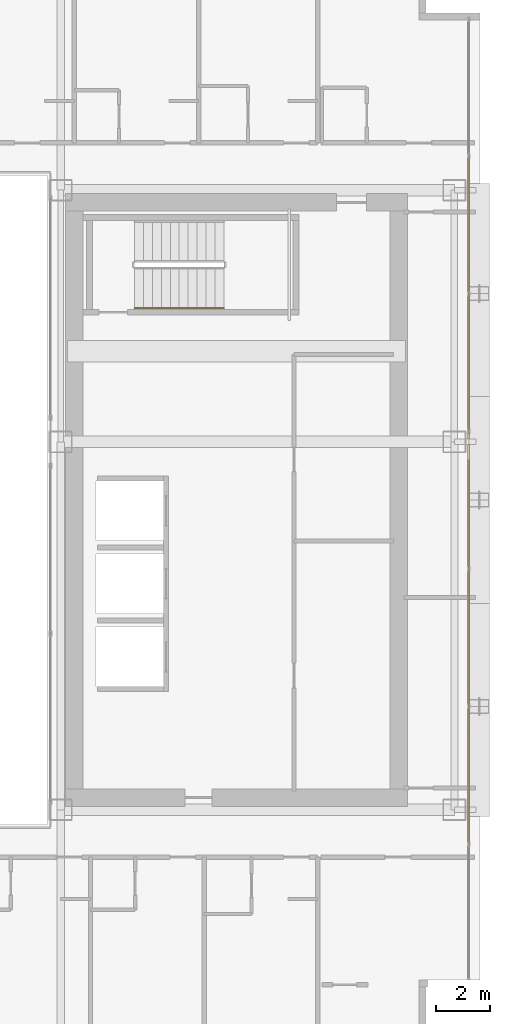
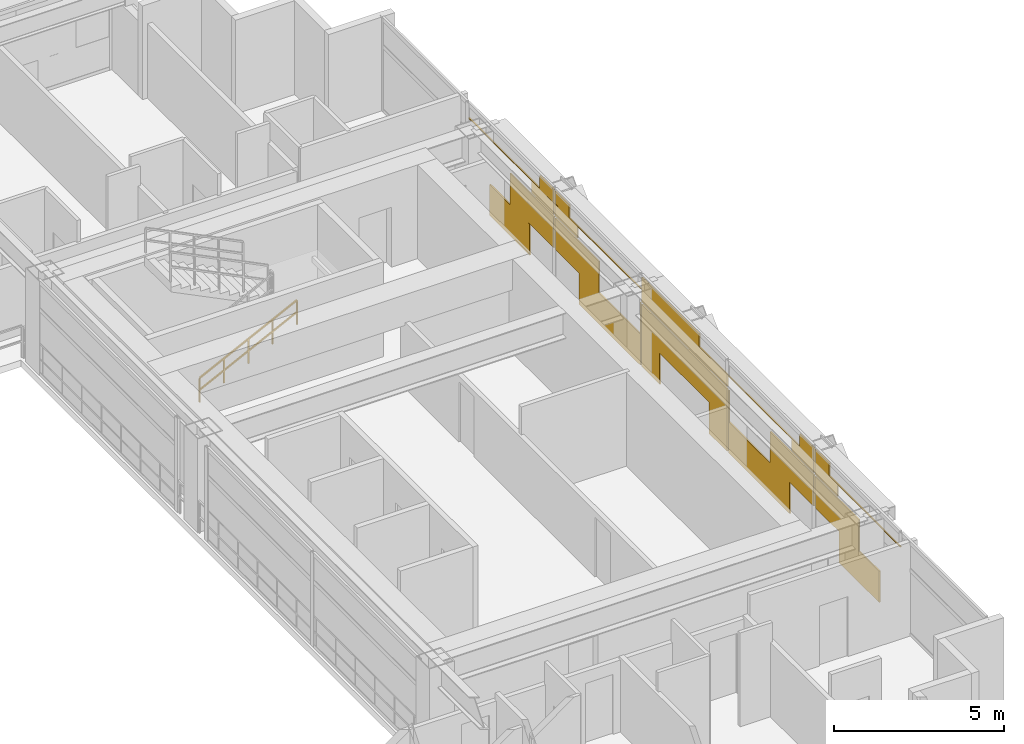
# One storey, part 38 of 39: 1 covering, 1 railing.
"""IFC4 building model written with IfcOpenShell, lengths in metres."""

from ifc_helpers import new_model, si_unit, direction, frame, origin, origin_2d, place, context, subcontext, project, spatial, rectangle, extrude, material, layer, layer_set, type_object, element, save


model = new_model("IFC4")

# Units and contexts
model_context = context("Model", 3, precision=1e-05, world=origin(), true_north=direction((0.0, 1.0)))
body_context = subcontext(model_context, "Body", "Model", "MODEL_VIEW")
ifc_project = project(units=[si_unit("LENGTHUNIT", "METRE"), si_unit("AREAUNIT", "SQUARE_METRE"), si_unit("VOLUMEUNIT", "CUBIC_METRE"), si_unit("PLANEANGLEUNIT", "RADIAN"), si_unit("MASSUNIT", "GRAM", prefix="KILO")], contexts=[model_context])

# Site, building, storey
site_placement = place(None, origin())
site = spatial("IfcSite", under=ifc_project, at=site_placement, CompositionType="ELEMENT")
building_placement = place(site_placement, origin())
building = spatial("IfcBuilding", under=site, at=building_placement, Name="Ocotamira Hotel", CompositionType="ELEMENT")
storey_placement = place(building_placement, frame((0.0, 0.0, 104.39990234375)))
storey = spatial("IfcBuildingStorey", under=building, at=storey_placement, Name="L25", CompositionType="ELEMENT", Elevation=104.39990234375)

# Covering
ifc_material_1 = material(Name="Insulated pale-metal aluminium spandrel panel", Category="aluminium")
ifc_layer = layer(ifc_material_1, 0.044921875)
ifc_layer_set = layer_set([ifc_layer], Name="Insulated pale-metal aluminium spandrel panel")
covering_type = type_object("IfcCoveringType", Name="COV-INFILL-45", PredefinedType="CLADDING", material=ifc_layer_set)
covering_placement = place(storey_placement, origin())
element("IfcCovering", 1, at=covering_placement, inside=storey, type_object=covering_type, Name="L25 Curtain Wall Infill CW-3 CW-L25-E", PredefinedType="CLADDING", context=body_context, shape_type="SweptSolid", body=[
    extrude(rectangle(XDim=2.35107421875, YDim=0.044921875, at=origin_2d()), frame((55.580078125, 15.741943359375, 0.07568359375), z_axis=(0.0, 0.0, 1.0), x_axis=(0.0, 1.0, 0.0)), (0.0, 0.0, 1.0), 1.117919921875),
    extrude(rectangle(XDim=2.578369140625, YDim=0.044921875, at=origin_2d()), frame((55.580078125, 17.041748046875, 1.1943359375), z_axis=(0.0, 0.0, 1.0), x_axis=(0.0, 1.0, 0.0)), (0.0, 0.0, 1.0), 1.117919921875),
    extrude(rectangle(XDim=5.004638671875, YDim=0.044921875, at=origin_2d()), frame((55.580078125, 15.82861328125, 2.802490234375), z_axis=(0.0, 0.0, 1.0), x_axis=(0.0, 1.0, 0.0)), (0.0, 0.0, 1.0), 0.033203125),
    extrude(rectangle(XDim=1.312744140625, YDim=0.044921875, at=origin_2d()), frame((55.580078125, 17.674560546875, 2.38818359375), z_axis=(0.0, 0.0, 1.0), x_axis=(0.0, 1.0, 0.0)), (0.0, 0.0, 1.0), 0.413330078125),
    extrude(rectangle(XDim=0.837158203125, YDim=0.044921875, at=origin_2d()), frame((55.580078125, 17.912353515625, 2.8369140625), z_axis=(0.0, 0.0, 1.0), x_axis=(0.0, 1.0, 0.0)), (0.0, 0.0, 1.0), 0.44775390625),
    extrude(rectangle(XDim=2.568603515625, YDim=0.044921875, at=origin_2d()), frame((55.580078125, 19.6962890625, 1.1943359375), z_axis=(0.0, 0.0, 1.0), x_axis=(0.0, 1.0, 0.0)), (0.0, 0.0, 1.0), 1.117919921875),
    extrude(rectangle(XDim=3.600830078125, YDim=0.044921875, at=origin_2d()), frame((55.580078125, 21.6162109375, 0.07568359375), z_axis=(0.0, 0.0, 1.0), x_axis=(0.0, 1.0, 0.0)), (0.0, 0.0, 1.0), 1.117919921875),
    extrude(rectangle(XDim=0.03076171875, YDim=0.044921875, at=origin_2d()), frame((55.580078125, 23.4013671875, 1.1943359375), z_axis=(0.0, 0.0, 1.0), x_axis=(0.0, 1.0, 0.0)), (0.0, 0.0, 1.0), 1.117919921875),
    extrude(rectangle(XDim=1.302978515625, YDim=0.044921875, at=origin_2d()), frame((55.580078125, 19.0634765625, 2.38818359375), z_axis=(0.0, 0.0, 1.0), x_axis=(0.0, 1.0, 0.0)), (0.0, 0.0, 1.0), 0.413330078125),
    extrude(rectangle(XDim=5.004638671875, YDim=0.044921875, at=origin_2d()), frame((55.580078125, 20.914306640625, 2.802490234375), z_axis=(0.0, 0.0, 1.0), x_axis=(0.0, 1.0, 0.0)), (0.0, 0.0, 1.0), 0.033203125),
    extrude(rectangle(XDim=0.827392578125, YDim=0.044921875, at=origin_2d()), frame((55.580078125, 18.82568359375, 2.8369140625), z_axis=(0.0, 0.0, 1.0), x_axis=(0.0, 1.0, 0.0)), (0.0, 0.0, 1.0), 0.44775390625),
    extrude(rectangle(XDim=1.05322265625, YDim=0.044921875, at=origin_2d()), frame((55.580078125, 24.0244140625, 0.07568359375), z_axis=(0.0, 0.0, 1.0), x_axis=(0.0, 1.0, 0.0)), (0.0, 0.0, 1.0), 1.117919921875),
    extrude(rectangle(XDim=5.004638671875, YDim=0.044921875, at=origin_2d()), frame((55.580078125, 26.0, 1.1943359375), z_axis=(0.0, 0.0, 1.0), x_axis=(0.0, 1.0, 0.0)), (0.0, 0.0, 1.0), 1.117919921875),
    extrude(rectangle(XDim=1.05322265625, YDim=0.044921875, at=origin_2d()), frame((55.580078125, 27.9755859375, 0.07568359375), z_axis=(0.0, 0.0, 1.0), x_axis=(0.0, 1.0, 0.0)), (0.0, 0.0, 1.0), 1.117919921875),
    extrude(rectangle(XDim=5.004638671875, YDim=0.044921875, at=origin_2d()), frame((55.580078125, 26.0, 2.387939453125), z_axis=(0.0, 0.0, 1.0), x_axis=(0.0, 1.0, 0.0)), (0.0, 0.0, 1.0), 0.44775390625),
    extrude(rectangle(XDim=3.375, YDim=0.044921875, at=origin_2d()), frame((55.580078125, 26.814697265625, 2.8369140625), z_axis=(0.0, 0.0, 1.0), x_axis=(0.0, 1.0, 0.0)), (0.0, 0.0, 1.0), 0.44775390625),
    extrude(rectangle(XDim=3.600830078125, YDim=0.044921875, at=origin_2d()), frame((55.580078125, 30.3837890625, 0.07568359375), z_axis=(0.0, 0.0, 1.0), x_axis=(0.0, 1.0, 0.0)), (0.0, 0.0, 1.0), 1.117919921875),
    extrude(rectangle(XDim=0.03076171875, YDim=0.044921875, at=origin_2d()), frame((55.580078125, 28.5986328125, 1.1943359375), z_axis=(0.0, 0.0, 1.0), x_axis=(0.0, 1.0, 0.0)), (0.0, 0.0, 1.0), 1.117919921875),
    extrude(rectangle(XDim=2.568603515625, YDim=0.044921875, at=origin_2d()), frame((55.580078125, 32.3037109375, 1.1943359375), z_axis=(0.0, 0.0, 1.0), x_axis=(0.0, 1.0, 0.0)), (0.0, 0.0, 1.0), 1.117919921875),
    extrude(rectangle(XDim=5.004638671875, YDim=0.044921875, at=origin_2d()), frame((55.580078125, 31.085693359375, 2.802490234375), z_axis=(0.0, 0.0, 1.0), x_axis=(0.0, 1.0, 0.0)), (0.0, 0.0, 1.0), 0.033203125),
    extrude(rectangle(XDim=1.302978515625, YDim=0.044921875, at=origin_2d()), frame((55.580078125, 32.9365234375, 2.38818359375), z_axis=(0.0, 0.0, 1.0), x_axis=(0.0, 1.0, 0.0)), (0.0, 0.0, 1.0), 0.413330078125),
    extrude(rectangle(XDim=0.827392578125, YDim=0.044921875, at=origin_2d()), frame((55.580078125, 33.17431640625, 2.8369140625), z_axis=(0.0, 0.0, 1.0), x_axis=(0.0, 1.0, 0.0)), (0.0, 0.0, 1.0), 0.44775390625),
    extrude(rectangle(XDim=2.578369140625, YDim=0.044921875, at=origin_2d()), frame((55.580078125, 34.958251953125, 1.1943359375), z_axis=(0.0, 0.0, 1.0), x_axis=(0.0, 1.0, 0.0)), (0.0, 0.0, 1.0), 1.117919921875),
    extrude(rectangle(XDim=2.35107421875, YDim=0.044921875, at=origin_2d()), frame((55.580078125, 36.258056640625, 0.07568359375), z_axis=(0.0, 0.0, 1.0), x_axis=(0.0, 1.0, 0.0)), (0.0, 0.0, 1.0), 1.117919921875),
    extrude(rectangle(XDim=1.312744140625, YDim=0.044921875, at=origin_2d()), frame((55.580078125, 34.325439453125, 2.38818359375), z_axis=(0.0, 0.0, 1.0), x_axis=(0.0, 1.0, 0.0)), (0.0, 0.0, 1.0), 0.413330078125),
    extrude(rectangle(XDim=5.004638671875, YDim=0.044921875, at=origin_2d()), frame((55.580078125, 36.17138671875, 2.802490234375), z_axis=(0.0, 0.0, 1.0), x_axis=(0.0, 1.0, 0.0)), (0.0, 0.0, 1.0), 0.033203125),
    extrude(rectangle(XDim=0.837158203125, YDim=0.044921875, at=origin_2d()), frame((55.580078125, 34.087646484375, 2.8369140625), z_axis=(0.0, 0.0, 1.0), x_axis=(0.0, 1.0, 0.0)), (0.0, 0.0, 1.0), 0.44775390625),
])

# Railing
ifc_material_2 = material(Name="Brushed stainless steel handrail", Category="steel")
railing_type = type_object("IfcRailingType", Name="RL-HAND-900", PredefinedType="HANDRAIL", material=ifc_material_2)
railing_placement = place(storey_placement, frame((43.22998046875, 33.10009765625, 0.327392578125)))
element("IfcRailing", 2, at=railing_placement, inside=storey, type_object=railing_type, Name="L25 ST-4 stair handrail 1", PredefinedType="HANDRAIL", context=body_context, shape_type="SweptSolid", body=[
    extrude(rectangle(XDim=0.048095703125, YDim=0.048095703125, at=origin_2d()), frame((0.0, 0.0, 0.8759765625), z_axis=(0.895920123917, 0.0, 0.444215186098), x_axis=(0.0, 1.0, 0.0)), (0.0, 0.0, 1.0), 3.683349609375),
    extrude(rectangle(XDim=0.048095703125, YDim=0.048095703125, at=origin_2d()), frame((0.0, 0.0, 0.449951171875), z_axis=(0.895920123917, 0.0, 0.444215186098), x_axis=(0.0, 1.0, 0.0)), (0.0, 0.0, 1.0), 3.683349609375),
    extrude(rectangle(XDim=0.0419921875, YDim=0.0419921875, at=origin_2d()), origin(), (0.0, 0.0, 1.0), 0.851806640625),
    extrude(rectangle(XDim=0.0419921875, YDim=0.0419921875, at=origin_2d()), frame((0.824951171875, 0.0, 0.4091796875)), (0.0, 0.0, 1.0), 0.851806640625),
    extrude(rectangle(XDim=0.0419921875, YDim=0.0419921875, at=origin_2d()), frame((1.64990234375, 0.0, 0.818115234375)), (0.0, 0.0, 1.0), 0.851806640625),
    extrude(rectangle(XDim=0.0419921875, YDim=0.0419921875, at=origin_2d()), frame((2.47509765625, 0.0, 1.22705078125)), (0.0, 0.0, 1.0), 0.851806640625),
    extrude(rectangle(XDim=0.0419921875, YDim=0.0419921875, at=origin_2d()), frame((3.300048828125, 0.0, 1.63623046875)), (0.0, 0.0, 1.0), 0.851806640625),
])

save(model, "model.ifc")
